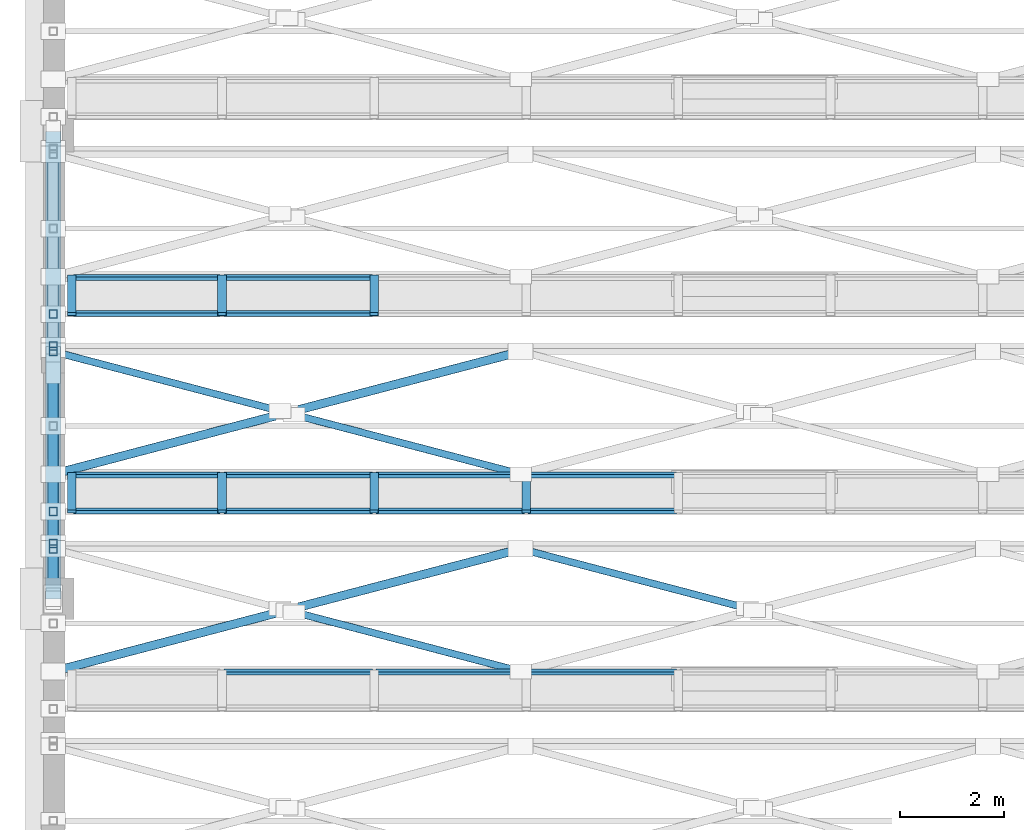
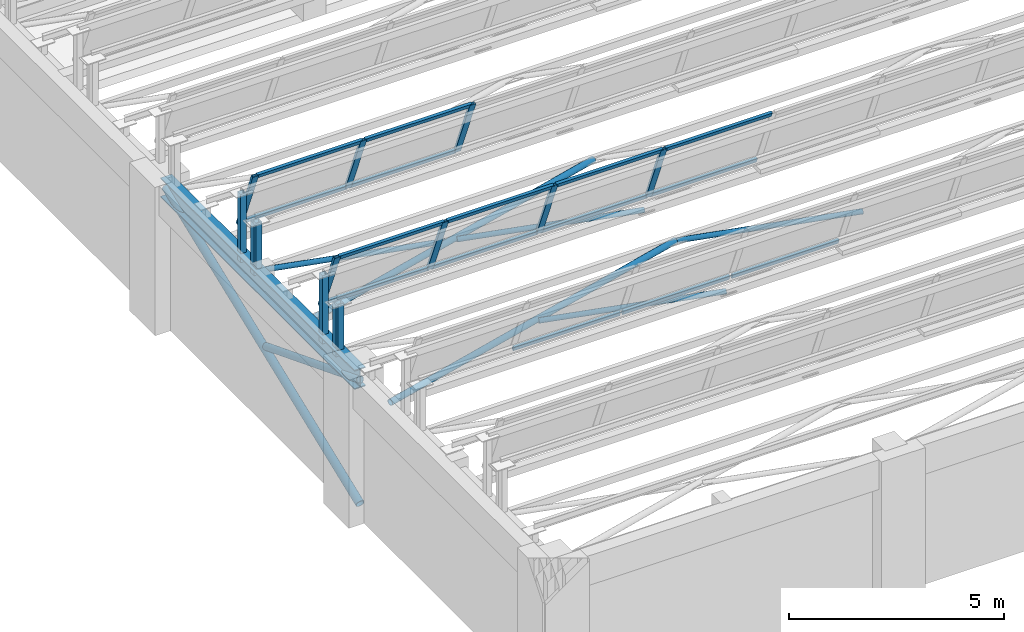
# One storey, part 17 of 108: 36 members, 1 beam, 3 elements without a shape of their own.
"""IFC4 building model written with IfcOpenShell, lengths in metres."""

from ifc_helpers import new_model, si_unit, direction, frame, origin, origin_2d, place, context, subcontext, project, spatial, hollow_rectangle, hollow_circle, i_section, extrude, material, material_profile, profile_set, type_object, element, aggregate, save


model = new_model("IFC4")

# Units and contexts
model_context = context("Model", 3, precision=1e-05, world=origin(), true_north=direction((0.0, 1.0)))
body_context = subcontext(model_context, "Body", "Model", "MODEL_VIEW")
ifc_project = project(units=[si_unit("LENGTHUNIT", "METRE"), si_unit("AREAUNIT", "SQUARE_METRE"), si_unit("VOLUMEUNIT", "CUBIC_METRE"), si_unit("PLANEANGLEUNIT", "RADIAN"), si_unit("MASSUNIT", "GRAM", prefix="KILO")], contexts=[model_context])

# Site, building, storey
site_placement = place(None, origin())
site = spatial("IfcSite", under=ifc_project, at=site_placement, CompositionType="ELEMENT")
building_placement = place(site_placement, origin())
building = spatial("IfcBuilding", under=site, at=building_placement, Name="Lykobir Media Centre", CompositionType="ELEMENT")
storey_placement = place(building_placement, frame((0.0, 0.0, 15.0)))
storey = spatial("IfcBuildingStorey", under=building, at=storey_placement, Name="L03", CompositionType="ELEMENT", Elevation=15.0)

# Beam
ifc_material_1 = material(Name="Steel S355", Category="steel")
ifc_material_profile_1 = material_profile(ifc_material_1, i_section(OverallWidth=0.300048828125, OverallDepth=0.550048828125, WebThickness=0.014892578125, FlangeThickness=0.029052734375, at=origin_2d()), Name="HEB 550")
ifc_profile_set_1 = profile_set([ifc_material_profile_1], Name="Steel S355")
beam_type = type_object("IfcBeamType", Name="BM-SAW550-E", PredefinedType="BEAM", material=ifc_profile_set_1)
beam_placement = place(storey_placement, frame((0.0, 9.0, 3.675048828125), z_axis=(0.0, 1.0, 0.0), x_axis=(-1.0, 0.0, 0.0)))
element("IfcBeam", 1, at=beam_placement, inside=storey, type_object=beam_type, Name="Beam BM-L03-0000-0090-0000-0180-1868", PredefinedType="BEAM", context=body_context, shape_type="SweptSolid", body=[
    extrude(i_section(OverallWidth=0.300048828125, OverallDepth=0.550048828125, WebThickness=0.014892578125, FlangeThickness=0.029052734375, at=origin_2d()), origin(), (0.0, 0.0, 1.0), 9.0),
])

# Members
ifc_material_profile_2 = material_profile(ifc_material_1, hollow_circle(Radius=0.06982421875, WallThickness=0.008056640625, at=origin_2d()), Name="CHS 139.7x8.0")
ifc_profile_set_2 = profile_set([ifc_material_profile_2], Name="Steel S355")
member_type_1 = type_object("IfcMemberType", Name="BR-CHS140", PredefinedType="BRACE", material=ifc_profile_set_2)
for number, where, z_axis, x_axis, name in (
    (2, (9.0, 7.60009765625, 3.840087890625), (-0.967266997824, 0.253760822274, 0.0), (-0.253760822274, -0.967266997824, 0.0), "Diagonal brace MEM2-L03-0090-0076-0188-0046-0087-0189"),
    (3, (13.364501953125, 8.816162109375, 3.840087890625), (-0.967266997824, 0.253760822274, 0.0), (-0.253760822274, -0.967266997824, 0.0), "Diagonal brace MEM2-L03-0134-0088-0188-0090-0100-0193"),
    (4, (9.0, 11.39990234375, 3.840087890625), (-0.967253715929, 0.253811443834, 0.0), (-0.253811443834, -0.967253715929, 0.0), "Diagonal brace MEM2-L03-0090-0114-0188-0046-0125-0209"),
    (5, (4.364501953125, 12.6162109375, 3.840087890625), (-0.967266997824, 0.253760822274, 0.0), (-0.253760822274, -0.967266997824, 0.0), "Diagonal brace MEM2-L03-0044-0126-0188-0000-0138-0210"),
):
    element("IfcMember", number, at=place(storey_placement, frame(where, z_axis=z_axis, x_axis=x_axis)), inside=storey, type_object=member_type_1, Name=name, PredefinedType="BRACE", context=body_context, shape_type="SweptSolid", body=[
        extrude(hollow_circle(Radius=0.06982421875, WallThickness=0.008056640625, at=origin_2d()), origin(), (0.0, 0.0, 1.0), 4.51220703125),
    ])
ifc_material_profile_3 = material_profile(ifc_material_1, hollow_circle(Radius=0.084228515625, WallThickness=0.010009765625, at=origin_2d()), Name="CHS 168.3x10.0")
ifc_profile_set_3 = profile_set([ifc_material_profile_3], Name="Steel S355")
member_type_2 = type_object("IfcMemberType", Name="BR-CHS168", PredefinedType="BRACE", material=ifc_profile_set_3)
member_1_placement = place(storey_placement, frame((0.0, 7.60009765625, 3.840087890625), z_axis=(0.967268328265, 0.25375575094, 0.0), x_axis=(-0.25375575094, 0.967268328265, 0.0)))
element("IfcMember", 6, at=member_1_placement, inside=storey, type_object=member_type_2, Name="Diagonal brace MEM2-L03-0000-0076-0188-0090-0100-0188", PredefinedType="BRACE", context=body_context, shape_type="SweptSolid", body=[
    extrude(hollow_circle(Radius=0.084228515625, WallThickness=0.010009765625, at=origin_2d()), origin(), (0.0, 0.0, 1.0), 9.304443359375),
])
member_2_placement = place(storey_placement, frame((0.0, 11.39990234375, 3.840087890625), z_axis=(0.967261887678, 0.253780299957, 0.0), x_axis=(-0.253780299957, 0.967261887678, 0.0)))
element("IfcMember", 7, at=member_2_placement, inside=storey, type_object=member_type_2, Name="Diagonal brace MEM2-L03-0000-0114-0188-0090-0138-0208", PredefinedType="BRACE", context=body_context, shape_type="SweptSolid", body=[
    extrude(hollow_circle(Radius=0.084228515625, WallThickness=0.010009765625, at=origin_2d()), origin(), (0.0, 0.0, 1.0), 9.3046875),
])
ifc_material_profile_4 = material_profile(ifc_material_1, hollow_circle(Radius=0.096923828125, WallThickness=0.010009765625, at=origin_2d()), Name="CHS 193.7x10.0")
ifc_profile_set_4 = profile_set([ifc_material_profile_4], Name="Steel S355")
member_type_3 = type_object("IfcMemberType", Name="BR-CHS194-E", PredefinedType="BRACE", material=ifc_profile_set_4)
member_3_placement = place(storey_placement, frame((0.0, 13.35107421875, 1.938232421875), z_axis=(0.0, -0.931310611003, 0.364225954365), x_axis=(1.0, 0.0, 0.0)))
element("IfcMember", 8, at=member_3_placement, inside=storey, type_object=member_type_3, Name="Diagonal brace MEM2-L03-0000-0134-0169-0000-0090-0526", PredefinedType="BRACE", context=body_context, shape_type="SweptSolid", body=[
    extrude(hollow_circle(Radius=0.096923828125, WallThickness=0.010009765625, at=origin_2d()), origin(), (0.0, 0.0, 1.0), 4.671875),
])
ifc_material_profile_5 = material_profile(ifc_material_1, hollow_circle(Radius=0.109619140625, WallThickness=0.012451171875, at=origin_2d()), Name="CHS 219.1x12.5")
ifc_profile_set_5 = profile_set([ifc_material_profile_5], Name="Steel S355")
member_type_4 = type_object("IfcMemberType", Name="BR-CHS219-E", PredefinedType="BRACE", material=ifc_profile_set_5)
member_4_placement = place(storey_placement, frame((0.0, 9.0, 0.1201171875), z_axis=(0.0, 0.931311719818, 0.364223119158), x_axis=(-1.0, 0.0, 0.0)))
element("IfcMember", 9, at=member_4_placement, inside=storey, type_object=member_type_4, Name="Diagonal brace MEM2-L03-0000-0090-0151-0000-0180-0524", PredefinedType="BRACE", context=body_context, shape_type="SweptSolid", body=[
    extrude(hollow_circle(Radius=0.109619140625, WallThickness=0.012451171875, at=origin_2d()), origin(), (0.0, 0.0, 1.0), 9.663818359375),
])
ifc_material_profile_6 = material_profile(ifc_material_1, hollow_rectangle(XDim=0.159912109375, YDim=0.159912109375, WallThickness=0.008056640625, at=origin_2d()), Name="SHS 160x160x8")
ifc_profile_set_6 = profile_set([ifc_material_profile_6], Name="Steel S355")
member_type_5 = type_object("IfcMemberType", Name="BR-SHS160-E", PredefinedType="BRACE", material=ifc_profile_set_6)
member_5_placement = place(storey_placement, frame((0.0, 10.681396484375, 3.699951171875), z_axis=(0.0, 0.0, 1.0), x_axis=(1.0, 0.0, 0.0)))
element("IfcMember", 10, at=member_5_placement, inside=storey, type_object=member_type_5, Name="Diagonal brace MEM2-L03-0000-0107-0187-0000-0107-0182", PredefinedType="BRACE", context=body_context, shape_type="SweptSolid", body=[
    extrude(hollow_rectangle(XDim=0.159912109375, YDim=0.159912109375, WallThickness=0.008056640625, at=origin_2d()), origin(), (0.0, 0.0, 1.0), 1.928955078125),
])
member_6_placement = place(storey_placement, frame((0.0, 9.961181640625, 3.840087890625), z_axis=(0.0, 0.0, 1.0), x_axis=(1.0, 0.0, 0.0)))
element("IfcMember", 11, at=member_6_placement, inside=storey, type_object=member_type_5, Name="Diagonal brace MEM2-L03-0000-0100-0188-0000-0100-0184", PredefinedType="BRACE", context=body_context, shape_type="SweptSolid", body=[
    extrude(hollow_rectangle(XDim=0.159912109375, YDim=0.159912109375, WallThickness=0.008056640625, at=origin_2d()), origin(), (0.0, 0.0, 1.0), 1.4033203125),
])
member_7_placement = place(storey_placement, frame((0.0, 10.06787109375, 3.699951171875), z_axis=(0.0, 0.0, 1.0), x_axis=(1.0, 0.0, 0.0)))
element("IfcMember", 12, at=member_7_placement, inside=storey, type_object=member_type_5, Name="Diagonal brace MEM2-L03-0000-0101-0187-0000-0101-0199", PredefinedType="BRACE", context=body_context, shape_type="SweptSolid", body=[
    extrude(hollow_rectangle(XDim=0.159912109375, YDim=0.159912109375, WallThickness=0.008056640625, at=origin_2d()), origin(), (0.0, 0.0, 1.0), 1.472412109375),
])
member_8_placement = place(storey_placement, frame((0.0, 14.481201171875, 3.699951171875), z_axis=(0.0, 0.0, 1.0), x_axis=(1.0, 0.0, 0.0)))
element("IfcMember", 13, at=member_8_placement, inside=storey, type_object=member_type_5, Name="Diagonal brace MEM2-L03-0000-0145-0187-0000-0145-0202", PredefinedType="BRACE", context=body_context, shape_type="SweptSolid", body=[
    extrude(hollow_rectangle(XDim=0.159912109375, YDim=0.159912109375, WallThickness=0.008056640625, at=origin_2d()), origin(), (0.0, 0.0, 1.0), 1.928955078125),
])
member_9_placement = place(storey_placement, frame((0.0, 13.76123046875, 3.840087890625), z_axis=(0.0, 0.0, 1.0), x_axis=(1.0, 0.0, 0.0)))
element("IfcMember", 14, at=member_9_placement, inside=storey, type_object=member_type_5, Name="Diagonal brace MEM2-L03-0000-0138-0188-0000-0138-0204", PredefinedType="BRACE", context=body_context, shape_type="SweptSolid", body=[
    extrude(hollow_rectangle(XDim=0.159912109375, YDim=0.159912109375, WallThickness=0.008056640625, at=origin_2d()), origin(), (0.0, 0.0, 1.0), 1.4033203125),
])
member_10_placement = place(storey_placement, frame((0.0, 13.867919921875, 3.699951171875), z_axis=(0.0, 0.0, 1.0), x_axis=(1.0, 0.0, 0.0)))
element("IfcMember", 15, at=member_10_placement, inside=storey, type_object=member_type_5, Name="Diagonal brace MEM2-L03-0000-0139-0187-0000-0139-0219", PredefinedType="BRACE", context=body_context, shape_type="SweptSolid", body=[
    extrude(hollow_rectangle(XDim=0.159912109375, YDim=0.159912109375, WallThickness=0.008056640625, at=origin_2d()), origin(), (0.0, 0.0, 1.0), 1.472412109375),
])

# Curtain wall, members
ifc_material_2 = material(Name="Anodized Aluminium AW-6060", Category="aluminium")
curtain_wall_type = type_object("IfcCurtainWallType", Name="CW-NL-V1", PredefinedType="NOTDEFINED", material=ifc_material_2)
curtain_wall_1_placement = place(storey_placement, origin())
curtain_wall_1 = element("IfcCurtainWall", 16, at=curtain_wall_1_placement, inside=storey, type_object=curtain_wall_type, Name="Curtain wall CW-NL-V1-03", PredefinedType="NOTDEFINED")
ifc_material_profile_7 = material_profile(ifc_material_2, hollow_rectangle(XDim=0.070068359375, YDim=0.1650390625, WallThickness=0.00390625, at=origin_2d()), Name="ALU MULLION 70x165")
ifc_profile_set_7 = profile_set([ifc_material_profile_7], Name="Anodized Aluminium AW-6060")
member_type_6 = type_object("IfcMemberType", Name="CWM-165", PredefinedType="MULLION", material=ifc_profile_set_7)
member_11_placement = place(storey_placement, frame((0.35498046875, 11.39990234375, 4.199951171875), z_axis=(0.0, -0.374591377287, 0.927190002137), x_axis=(0.0, 0.927190002137, 0.374591377287)))
member_11 = element("IfcMember", 17, at=member_11_placement, type_object=member_type_6, Name="CW-NL-V1-03 mullion 1", PredefinedType="MULLION", context=body_context, shape_type="SweptSolid", body=[
    extrude(hollow_rectangle(XDim=0.070068359375, YDim=0.1650390625, WallThickness=0.00390625, at=origin_2d()), origin(), (0.0, 0.0, 1.0), 1.918701171875),
])
member_12_placement = place(storey_placement, frame((3.248779296875, 11.39990234375, 4.199951171875), z_axis=(0.0, -0.374591377287, 0.927190002137), x_axis=(0.0, 0.927190002137, 0.374591377287)))
member_12 = element("IfcMember", 18, at=member_12_placement, type_object=member_type_6, Name="CW-NL-V1-03 mullion 2", PredefinedType="MULLION", context=body_context, shape_type="SweptSolid", body=[
    extrude(hollow_rectangle(XDim=0.070068359375, YDim=0.1650390625, WallThickness=0.00390625, at=origin_2d()), origin(), (0.0, 0.0, 1.0), 1.918701171875),
])
member_13_placement = place(storey_placement, frame((6.177734375, 11.39990234375, 4.199951171875), z_axis=(0.0, -0.374591377287, 0.927190002137), x_axis=(0.0, 0.927190002137, 0.374591377287)))
member_13 = element("IfcMember", 19, at=member_13_placement, type_object=member_type_6, Name="CW-NL-V1-03 mullion 3", PredefinedType="MULLION", context=body_context, shape_type="SweptSolid", body=[
    extrude(hollow_rectangle(XDim=0.070068359375, YDim=0.1650390625, WallThickness=0.00390625, at=origin_2d()), origin(), (0.0, 0.0, 1.0), 1.918701171875),
])
member_14_placement = place(storey_placement, frame((9.106689453125, 11.39990234375, 4.199951171875), z_axis=(0.0, -0.374591377287, 0.927190002137), x_axis=(0.0, 0.927190002137, 0.374591377287)))
member_14 = element("IfcMember", 20, at=member_14_placement, type_object=member_type_6, Name="CW-NL-V1-03 mullion 4", PredefinedType="MULLION", context=body_context, shape_type="SweptSolid", body=[
    extrude(hollow_rectangle(XDim=0.070068359375, YDim=0.1650390625, WallThickness=0.00390625, at=origin_2d()), origin(), (0.0, 0.0, 1.0), 1.918701171875),
])

curtain_wall_2_placement = place(storey_placement, origin())
curtain_wall_2 = element("IfcCurtainWall", 21, at=curtain_wall_2_placement, inside=storey, type_object=curtain_wall_type, Name="Curtain wall CW-NL-V1-04", PredefinedType="NOTDEFINED")
member_15_placement = place(storey_placement, frame((0.35498046875, 15.199951171875, 4.199951171875), z_axis=(0.0, -0.374591377287, 0.927190002137), x_axis=(0.0, 0.927190002137, 0.374591377287)))
member_15 = element("IfcMember", 22, at=member_15_placement, type_object=member_type_6, Name="CW-NL-V1-04 mullion 1", PredefinedType="MULLION", context=body_context, shape_type="SweptSolid", body=[
    extrude(hollow_rectangle(XDim=0.070068359375, YDim=0.1650390625, WallThickness=0.00390625, at=origin_2d()), origin(), (0.0, 0.0, 1.0), 1.918701171875),
])
member_16_placement = place(storey_placement, frame((3.248779296875, 15.199951171875, 4.199951171875), z_axis=(0.0, -0.374591377287, 0.927190002137), x_axis=(0.0, 0.927190002137, 0.374591377287)))
member_16 = element("IfcMember", 23, at=member_16_placement, type_object=member_type_6, Name="CW-NL-V1-04 mullion 2", PredefinedType="MULLION", context=body_context, shape_type="SweptSolid", body=[
    extrude(hollow_rectangle(XDim=0.070068359375, YDim=0.1650390625, WallThickness=0.00390625, at=origin_2d()), origin(), (0.0, 0.0, 1.0), 1.918701171875),
])
member_17_placement = place(storey_placement, frame((6.177734375, 15.199951171875, 4.199951171875), z_axis=(0.0, -0.374591377287, 0.927190002137), x_axis=(0.0, 0.927190002137, 0.374591377287)))
member_17 = element("IfcMember", 24, at=member_17_placement, type_object=member_type_6, Name="CW-NL-V1-04 mullion 3", PredefinedType="MULLION", context=body_context, shape_type="SweptSolid", body=[
    extrude(hollow_rectangle(XDim=0.070068359375, YDim=0.1650390625, WallThickness=0.00390625, at=origin_2d()), origin(), (0.0, 0.0, 1.0), 1.918701171875),
])

curtain_wall_3_placement = place(storey_placement, origin())
curtain_wall_3 = element("IfcCurtainWall", 25, at=curtain_wall_3_placement, inside=storey, type_object=curtain_wall_type, Name="Curtain wall CW-NL-V1-02", PredefinedType="NOTDEFINED")
ifc_material_profile_8 = material_profile(ifc_material_2, hollow_rectangle(XDim=0.070068359375, YDim=0.135009765625, WallThickness=0.00341796875, at=origin_2d()), Name="ALU TRANSOM 70x135")
ifc_profile_set_8 = profile_set([ifc_material_profile_8], Name="Anodized Aluminium AW-6060")
member_type_7 = type_object("IfcMemberType", Name="CWT-135", PredefinedType="USERDEFINED", material=ifc_profile_set_8)
member_18_placement = place(storey_placement, frame((3.283935546875, 7.5869140625, 4.232421875), z_axis=(1.0, 0.0, 0.0), x_axis=(0.0, 0.927183854567, 0.374606593416)))
member_18 = element("IfcMember", 26, at=member_18_placement, type_object=member_type_7, Name="CW-NL-V1-02 transom 2.1", ObjectType="TRANSOM", PredefinedType="USERDEFINED", context=body_context, shape_type="SweptSolid", body=[
    extrude(hollow_rectangle(XDim=0.070068359375, YDim=0.135009765625, WallThickness=0.00341796875, at=origin_2d()), origin(), (0.0, 0.0, 1.0), 2.85888671875),
])
member_19_placement = place(storey_placement, frame((6.212890625, 7.5869140625, 4.232421875), z_axis=(1.0, 0.0, 0.0), x_axis=(0.0, 0.927183854567, 0.374606593416)))
member_19 = element("IfcMember", 27, at=member_19_placement, type_object=member_type_7, Name="CW-NL-V1-02 transom 3.1", ObjectType="TRANSOM", PredefinedType="USERDEFINED", context=body_context, shape_type="SweptSolid", body=[
    extrude(hollow_rectangle(XDim=0.070068359375, YDim=0.135009765625, WallThickness=0.00341796875, at=origin_2d()), origin(), (0.0, 0.0, 1.0), 2.85888671875),
])
member_20_placement = place(storey_placement, frame((9.1416015625, 7.5869140625, 4.232421875), z_axis=(1.0, 0.0, 0.0), x_axis=(0.0, 0.927183854567, 0.374606593416)))
member_20 = element("IfcMember", 28, at=member_20_placement, type_object=member_type_7, Name="CW-NL-V1-02 transom 4.1", ObjectType="TRANSOM", PredefinedType="USERDEFINED", context=body_context, shape_type="SweptSolid", body=[
    extrude(hollow_rectangle(XDim=0.070068359375, YDim=0.135009765625, WallThickness=0.00341796875, at=origin_2d()), origin(), (0.0, 0.0, 1.0), 2.85888671875),
])
aggregate(curtain_wall_3, [member_18, member_19, member_20])

# Member
member_21_placement = place(storey_placement, frame((0.389892578125, 11.386962890625, 4.232421875), z_axis=(1.0, 0.0, 0.0), x_axis=(0.0, 0.927183854567, 0.374606593416)))
member_21 = element("IfcMember", 29, at=member_21_placement, type_object=member_type_7, Name="CW-NL-V1-03 transom 1.1", ObjectType="TRANSOM", PredefinedType="USERDEFINED", context=body_context, shape_type="SweptSolid", body=[
    extrude(hollow_rectangle(XDim=0.070068359375, YDim=0.135009765625, WallThickness=0.00341796875, at=origin_2d()), origin(), (0.0, 0.0, 1.0), 2.823974609375),
])

member_22_placement = place(storey_placement, frame((0.389892578125, 10.6943359375, 5.946533203125), z_axis=(1.0, 0.0, 0.0), x_axis=(0.0, 0.927183854567, 0.374606593416)))
member_22 = element("IfcMember", 30, at=member_22_placement, type_object=member_type_7, Name="CW-NL-V1-03 transom 1.2", ObjectType="TRANSOM", PredefinedType="USERDEFINED", context=body_context, shape_type="SweptSolid", body=[
    extrude(hollow_rectangle(XDim=0.070068359375, YDim=0.135009765625, WallThickness=0.00341796875, at=origin_2d()), origin(), (0.0, 0.0, 1.0), 2.823974609375),
])

member_23_placement = place(storey_placement, frame((3.283935546875, 11.386962890625, 4.232421875), z_axis=(1.0, 0.0, 0.0), x_axis=(0.0, 0.927183854567, 0.374606593416)))
member_23 = element("IfcMember", 31, at=member_23_placement, type_object=member_type_7, Name="CW-NL-V1-03 transom 2.1", ObjectType="TRANSOM", PredefinedType="USERDEFINED", context=body_context, shape_type="SweptSolid", body=[
    extrude(hollow_rectangle(XDim=0.070068359375, YDim=0.135009765625, WallThickness=0.00341796875, at=origin_2d()), origin(), (0.0, 0.0, 1.0), 2.85888671875),
])

member_24_placement = place(storey_placement, frame((3.283935546875, 10.6943359375, 5.946533203125), z_axis=(1.0, 0.0, 0.0), x_axis=(0.0, 0.927183854567, 0.374606593416)))
member_24 = element("IfcMember", 32, at=member_24_placement, type_object=member_type_7, Name="CW-NL-V1-03 transom 2.2", ObjectType="TRANSOM", PredefinedType="USERDEFINED", context=body_context, shape_type="SweptSolid", body=[
    extrude(hollow_rectangle(XDim=0.070068359375, YDim=0.135009765625, WallThickness=0.00341796875, at=origin_2d()), origin(), (0.0, 0.0, 1.0), 2.85888671875),
])

member_25_placement = place(storey_placement, frame((6.212890625, 11.386962890625, 4.232421875), z_axis=(1.0, 0.0, 0.0), x_axis=(0.0, 0.927183854567, 0.374606593416)))
member_25 = element("IfcMember", 33, at=member_25_placement, type_object=member_type_7, Name="CW-NL-V1-03 transom 3.1", ObjectType="TRANSOM", PredefinedType="USERDEFINED", context=body_context, shape_type="SweptSolid", body=[
    extrude(hollow_rectangle(XDim=0.070068359375, YDim=0.135009765625, WallThickness=0.00341796875, at=origin_2d()), origin(), (0.0, 0.0, 1.0), 2.85888671875),
])

member_26_placement = place(storey_placement, frame((6.212890625, 10.6943359375, 5.946533203125), z_axis=(1.0, 0.0, 0.0), x_axis=(0.0, 0.927183854567, 0.374606593416)))
member_26 = element("IfcMember", 34, at=member_26_placement, type_object=member_type_7, Name="CW-NL-V1-03 transom 3.2", ObjectType="TRANSOM", PredefinedType="USERDEFINED", context=body_context, shape_type="SweptSolid", body=[
    extrude(hollow_rectangle(XDim=0.070068359375, YDim=0.135009765625, WallThickness=0.00341796875, at=origin_2d()), origin(), (0.0, 0.0, 1.0), 2.85888671875),
])

member_27_placement = place(storey_placement, frame((9.1416015625, 11.386962890625, 4.232421875), z_axis=(1.0, 0.0, 0.0), x_axis=(0.0, 0.927183854567, 0.374606593416)))
member_27 = element("IfcMember", 35, at=member_27_placement, type_object=member_type_7, Name="CW-NL-V1-03 transom 4.1", ObjectType="TRANSOM", PredefinedType="USERDEFINED", context=body_context, shape_type="SweptSolid", body=[
    extrude(hollow_rectangle(XDim=0.070068359375, YDim=0.135009765625, WallThickness=0.00341796875, at=origin_2d()), origin(), (0.0, 0.0, 1.0), 2.85888671875),
])

member_28_placement = place(storey_placement, frame((9.1416015625, 10.6943359375, 5.946533203125), z_axis=(1.0, 0.0, 0.0), x_axis=(0.0, 0.927183854567, 0.374606593416)))
member_28 = element("IfcMember", 36, at=member_28_placement, type_object=member_type_7, Name="CW-NL-V1-03 transom 4.2", ObjectType="TRANSOM", PredefinedType="USERDEFINED", context=body_context, shape_type="SweptSolid", body=[
    extrude(hollow_rectangle(XDim=0.070068359375, YDim=0.135009765625, WallThickness=0.00341796875, at=origin_2d()), origin(), (0.0, 0.0, 1.0), 2.85888671875),
])

aggregate(curtain_wall_1, [member_11, member_12, member_13, member_14, member_21, member_22, member_23, member_24, member_25, member_26, member_27, member_28])

member_29_placement = place(storey_placement, frame((0.389892578125, 15.18701171875, 4.232421875), z_axis=(1.0, 0.0, 0.0), x_axis=(0.0, 0.927183854567, 0.374606593416)))
member_29 = element("IfcMember", 37, at=member_29_placement, type_object=member_type_7, Name="CW-NL-V1-04 transom 1.1", ObjectType="TRANSOM", PredefinedType="USERDEFINED", context=body_context, shape_type="SweptSolid", body=[
    extrude(hollow_rectangle(XDim=0.070068359375, YDim=0.135009765625, WallThickness=0.00341796875, at=origin_2d()), origin(), (0.0, 0.0, 1.0), 2.823974609375),
])

member_30_placement = place(storey_placement, frame((0.389892578125, 14.494384765625, 5.946533203125), z_axis=(1.0, 0.0, 0.0), x_axis=(0.0, 0.927183854567, 0.374606593416)))
member_30 = element("IfcMember", 38, at=member_30_placement, type_object=member_type_7, Name="CW-NL-V1-04 transom 1.2", ObjectType="TRANSOM", PredefinedType="USERDEFINED", context=body_context, shape_type="SweptSolid", body=[
    extrude(hollow_rectangle(XDim=0.070068359375, YDim=0.135009765625, WallThickness=0.00341796875, at=origin_2d()), origin(), (0.0, 0.0, 1.0), 2.823974609375),
])

member_31_placement = place(storey_placement, frame((3.283935546875, 15.18701171875, 4.232421875), z_axis=(1.0, 0.0, 0.0), x_axis=(0.0, 0.927183854567, 0.374606593416)))
member_31 = element("IfcMember", 39, at=member_31_placement, type_object=member_type_7, Name="CW-NL-V1-04 transom 2.1", ObjectType="TRANSOM", PredefinedType="USERDEFINED", context=body_context, shape_type="SweptSolid", body=[
    extrude(hollow_rectangle(XDim=0.070068359375, YDim=0.135009765625, WallThickness=0.00341796875, at=origin_2d()), origin(), (0.0, 0.0, 1.0), 2.85888671875),
])

member_32_placement = place(storey_placement, frame((3.283935546875, 14.494384765625, 5.946533203125), z_axis=(1.0, 0.0, 0.0), x_axis=(0.0, 0.927183854567, 0.374606593416)))
member_32 = element("IfcMember", 40, at=member_32_placement, type_object=member_type_7, Name="CW-NL-V1-04 transom 2.2", ObjectType="TRANSOM", PredefinedType="USERDEFINED", context=body_context, shape_type="SweptSolid", body=[
    extrude(hollow_rectangle(XDim=0.070068359375, YDim=0.135009765625, WallThickness=0.00341796875, at=origin_2d()), origin(), (0.0, 0.0, 1.0), 2.85888671875),
])

aggregate(curtain_wall_2, [member_15, member_16, member_17, member_29, member_30, member_31, member_32])

save(model, "model.ifc")
